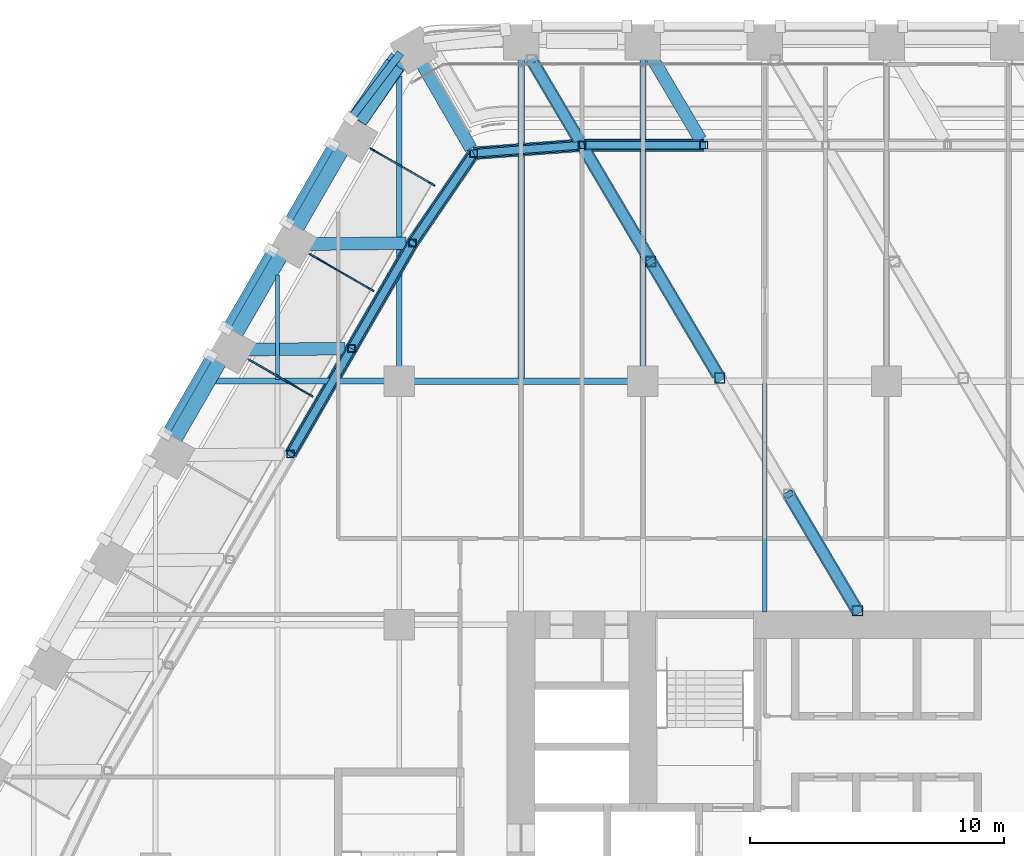
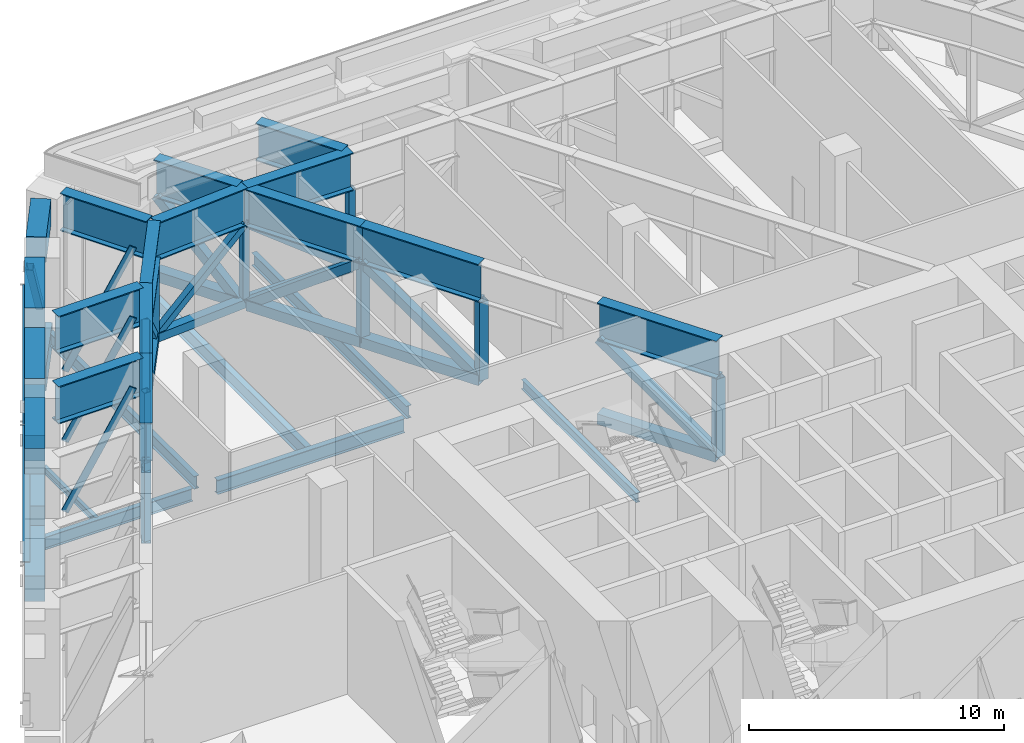
# One storey, part 8 of 35: 34 members, 28 beams, 1 element without a shape of its own.
"""IFC4 building model written with IfcOpenShell, lengths in metres."""

from ifc_helpers import new_model, si_unit, direction, frame, origin, origin_2d, place, context, subcontext, project, spatial, rectangle, hollow_rectangle, i_section, extrude, material, material_profile, profile_set, type_object, element, aggregate, save


model = new_model("IFC4")

# Units and contexts
model_context = context("Model", 3, precision=1e-05, world=origin(), true_north=direction((0.0, 1.0)))
body_context = subcontext(model_context, "Body", "Model", "MODEL_VIEW")
ifc_project = project(units=[si_unit("LENGTHUNIT", "METRE"), si_unit("AREAUNIT", "SQUARE_METRE"), si_unit("VOLUMEUNIT", "CUBIC_METRE"), si_unit("PLANEANGLEUNIT", "RADIAN"), si_unit("MASSUNIT", "GRAM", prefix="KILO")], contexts=[model_context])

# Site, building, storey
site_placement = place(None, origin())
site = spatial("IfcSite", under=ifc_project, at=site_placement, CompositionType="ELEMENT")
building_placement = place(site_placement, origin())
building = spatial("IfcBuilding", under=site, at=building_placement, Name="Kolab Exchange Tower", CompositionType="ELEMENT")
storey_placement = place(building_placement, frame((0.0, 0.0, 71.89990234375)))
storey = spatial("IfcBuildingStorey", under=building, at=storey_placement, Name="L13", CompositionType="ELEMENT", Elevation=71.89990234375)

# Members
ifc_material_1 = material(Name="Steel S355", Category="steel")
ifc_material_profile_1 = material_profile(ifc_material_1, hollow_rectangle(XDim=0.300048828125, YDim=0.300048828125, WallThickness=0.01611328125, at=origin_2d()), Name="HSS300X300X16")
ifc_profile_set_1 = profile_set([ifc_material_profile_1], Name="Steel S355")
member_type_1 = type_object("IfcMemberType", Name="BELT TRUSS BRACE HSS300X300X16", PredefinedType="BRACE", material=ifc_profile_set_1)
member_1_placement = place(storey_placement, frame((-16.267822265625, 28.177001953125, 0.25), z_axis=(0.750009259501, 0.056504902166, 0.659009337334), x_axis=(-0.075126035074, 0.99717404642, 0.0)))
element("IfcMember", 1, at=member_1_placement, inside=storey, type_object=member_type_1, Name="mem/L13/ring/d-F1-01", PredefinedType="BRACE", context=body_context, shape_type="SweptSolid", body=[
    extrude(hollow_rectangle(XDim=0.300048828125, YDim=0.300048828125, WallThickness=0.01611328125, at=origin_2d()), origin(), (0.0, 0.0, 1.0), 5.6904296875),
])
for number, where, z_axis, x_axis, name in (
    (2, (-12.0, 28.49853515625, 4.0), (0.788027411976, 0.0, -0.615640152991), (0.0, 1.0, 0.0), "mem/L13/ring/d-F1-02"),
    (3, (-23.48046875, 16.32763671875, 4.0), (0.394029831617, 0.682447964901, -0.615634036582), (-0.866015339567, 0.500017431331, 0.0), "mem/L13/ring/d-F6-05"),
):
    element("IfcMember", number, at=place(storey_placement, frame(where, z_axis=z_axis, x_axis=x_axis)), inside=storey, type_object=member_type_1, Name=name, PredefinedType="BRACE", context=body_context, shape_type="SweptSolid", body=[
        extrude(hollow_rectangle(XDim=0.300048828125, YDim=0.300048828125, WallThickness=0.01611328125, at=origin_2d()), origin(), (0.0, 0.0, 1.0), 6.09130859375),
    ])
member_2_placement = place(storey_placement, frame((-21.080322265625, 20.484619140625, 0.25), z_axis=(0.393995973328, 0.682458742407, 0.615643758934), x_axis=(-0.866037363387, 0.499979284789, 0.0)))
element("IfcMember", 4, at=member_2_placement, inside=storey, type_object=member_type_1, Name="mem/L13/ring/d-F6-06", PredefinedType="BRACE", context=body_context, shape_type="SweptSolid", body=[
    extrude(hollow_rectangle(XDim=0.300048828125, YDim=0.300048828125, WallThickness=0.01611328125, at=origin_2d()), origin(), (0.0, 0.0, 1.0), 6.091064453125),
])
member_3_placement = place(storey_placement, frame((-18.680419921875, 24.6416015625, 4.0), z_axis=(0.423966788791, 0.621277379932, -0.658989058473), x_axis=(-0.825999194724, 0.563671296338, 0.0)))
element("IfcMember", 5, at=member_3_placement, inside=storey, type_object=member_type_1, Name="mem/L13/ring/d-F6-07", PredefinedType="BRACE", context=body_context, shape_type="SweptSolid", body=[
    extrude(hollow_rectangle(XDim=0.300048828125, YDim=0.300048828125, WallThickness=0.01611328125, at=origin_2d()), origin(), (0.0, 0.0, 1.0), 5.6904296875),
])
member_4_placement = place(storey_placement, frame((-28.41748046875, 17.138916015625, 0.400146484375), z_axis=(0.328647954349, 0.569205172801, 0.753655089121), x_axis=(-0.866014075672, 0.500019620354, 0.0)))
element("IfcMember", 6, at=member_4_placement, inside=storey, type_object=member_type_1, Name="mem/L13/fb/F6-05", PredefinedType="BRACE", context=body_context, shape_type="SweptSolid", body=[
    extrude(hollow_rectangle(XDim=0.300048828125, YDim=0.300048828125, WallThickness=0.01611328125, at=origin_2d()), origin(), (0.0, 0.0, 1.0), 5.373779296875),
])
for number, where, z_axis, x_axis, name in (
    (7, (-26.017578125, 21.295654296875, 4.4501953125), (0.328679977978, 0.569227384114, -0.753624347571), (-0.866001427184, 0.500041526391, 0.0), "mem/L13/fb/F6-06"),
    (8, (-23.617431640625, 25.45263671875, 0.400146484375), (0.328639455646, 0.569235883224, 0.753635599904), (-0.866031355668, 0.499989690894, 0.0), "mem/L13/fb/F6-07"),
):
    element("IfcMember", number, at=place(storey_placement, frame(where, z_axis=z_axis, x_axis=x_axis)), inside=storey, type_object=member_type_1, Name=name, PredefinedType="BRACE", context=body_context, shape_type="SweptSolid", body=[
        extrude(hollow_rectangle(XDim=0.300048828125, YDim=0.300048828125, WallThickness=0.01611328125, at=origin_2d()), origin(), (0.0, 0.0, 1.0), 5.3740234375),
    ])
member_5_placement = place(storey_placement, frame((-21.110107421875, 29.5419921875, 4.4501953125), z_axis=(0.369353435325, 0.486393319457, -0.791833049703), x_axis=(-0.7964030968, 0.604766159278, 0.0)))
element("IfcMember", 9, at=member_5_placement, inside=storey, type_object=member_type_1, Name="mem/L13/fb/F6-08", PredefinedType="BRACE", context=body_context, shape_type="SweptSolid", body=[
    extrude(hollow_rectangle(XDim=0.300048828125, YDim=0.300048828125, WallThickness=0.01611328125, at=origin_2d()), origin(), (0.0, 0.0, 1.0), 5.11474609375),
])
ifc_material_profile_2 = material_profile(ifc_material_1, hollow_rectangle(XDim=0.39990234375, YDim=0.39990234375, WallThickness=0.02001953125, at=origin_2d()), Name="HSS400X400X20")
ifc_profile_set_2 = profile_set([ifc_material_profile_2], Name="Steel S355")
member_type_2 = type_object("IfcMemberType", Name="BELT TRUSS CHORD HSS400X400X20", PredefinedType="CHORD", material=ifc_profile_set_2)
member_6_placement = place(storey_placement, frame((-16.267822265625, 28.177001953125, 0.25), z_axis=(0.99717404642, 0.075126035074, 0.0), x_axis=(-0.075126035074, 0.99717404642, 0.0)))
element("IfcMember", 10, at=member_6_placement, inside=storey, type_object=member_type_2, Name="mem/L13/ring/c-F1-01", PredefinedType="CHORD", context=body_context, shape_type="SweptSolid", body=[
    extrude(hollow_rectangle(XDim=0.39990234375, YDim=0.39990234375, WallThickness=0.02001953125, at=origin_2d()), origin(), (0.0, 0.0, 1.0), 4.280029296875),
])
for number, where, z_axis, x_axis, name in (
    (11, (-12.0, 28.49853515625, 0.25), (1.0, 0.0, 0.0), (0.0, 1.0, 0.0), "mem/L13/ring/c-F1-02"),
    (12, (-23.48046875, 16.32763671875, 0.25), (0.500017431331, 0.866015339567, 0.0), (-0.866015339567, 0.500017431331, 0.0), "mem/L13/ring/c-F6-05"),
    (13, (-21.080322265625, 20.484619140625, 0.25), (0.499979284789, 0.866037363387, 0.0), (-0.866037363387, 0.499979284789, 0.0), "mem/L13/ring/c-F6-06"),
):
    element("IfcMember", number, at=place(storey_placement, frame(where, z_axis=z_axis, x_axis=x_axis)), inside=storey, type_object=member_type_2, Name=name, PredefinedType="CHORD", context=body_context, shape_type="SweptSolid", body=[
        extrude(hollow_rectangle(XDim=0.39990234375, YDim=0.39990234375, WallThickness=0.02001953125, at=origin_2d()), origin(), (0.0, 0.0, 1.0), 4.800048828125),
    ])
member_7_placement = place(storey_placement, frame((-18.680419921875, 24.6416015625, 0.25), z_axis=(0.563671296338, 0.825999194724, 0.0), x_axis=(-0.825999194724, 0.563671296338, 0.0)))
element("IfcMember", 14, at=member_7_placement, inside=storey, type_object=member_type_2, Name="mem/L13/ring/c-F6-07", PredefinedType="CHORD", context=body_context, shape_type="SweptSolid", body=[
    extrude(hollow_rectangle(XDim=0.39990234375, YDim=0.39990234375, WallThickness=0.02001953125, at=origin_2d()), origin(), (0.0, 0.0, 1.0), 4.280029296875),
])

# Beams
ifc_material_profile_3 = material_profile(ifc_material_1, i_section(OverallWidth=0.5, OverallDepth=1.800048828125, WebThickness=0.031982421875, FlangeThickness=0.050048828125, at=origin_2d()), Name="PG1800X500")
ifc_profile_set_3 = profile_set([ifc_material_profile_3], Name="Steel S355")
beam_type_1 = type_object("IfcBeamType", Name="BELT TRUSS GIRDER PG1800X500", PredefinedType="BEAM", material=ifc_profile_set_3)
beam_1_placement = place(storey_placement, frame((-16.267822265625, 28.177001953125, 4.900146484375), z_axis=(0.99717404642, 0.075126035074, 0.0), x_axis=(-0.075126035074, 0.99717404642, 0.0)))
element("IfcBeam", 15, at=beam_1_placement, inside=storey, type_object=beam_type_1, Name="beam/L13/bg/F1-in", PredefinedType="BEAM", context=body_context, shape_type="SweptSolid", body=[
    extrude(i_section(OverallWidth=0.5, OverallDepth=1.800048828125, WebThickness=0.031982421875, FlangeThickness=0.050048828125, at=origin_2d()), origin(), (0.0, 0.0, 1.0), 4.280029296875),
])
for number, where, z_axis, x_axis, name in (
    (16, (-12.0, 28.49853515625, 4.900146484375), (1.0, 0.0, 0.0), (0.0, 1.0, 0.0), "beam/L13/bg/F1-run0"),
    (17, (-23.48046875, 16.32763671875, 4.900146484375), (0.500017431331, 0.866015339567, 0.0), (-0.866015339567, 0.500017431331, 0.0), "beam/L13/bg/F6-run3"),
    (18, (-21.080322265625, 20.484619140625, 4.900146484375), (0.499979284789, 0.866037363387, 0.0), (-0.866037363387, 0.499979284789, 0.0), "beam/L13/bg/F6-run4"),
):
    element("IfcBeam", number, at=place(storey_placement, frame(where, z_axis=z_axis, x_axis=x_axis)), inside=storey, type_object=beam_type_1, Name=name, PredefinedType="BEAM", context=body_context, shape_type="SweptSolid", body=[
        extrude(i_section(OverallWidth=0.5, OverallDepth=1.800048828125, WebThickness=0.031982421875, FlangeThickness=0.050048828125, at=origin_2d()), origin(), (0.0, 0.0, 1.0), 4.800048828125),
    ])
beam_2_placement = place(storey_placement, frame((-18.680419921875, 24.6416015625, 4.900146484375), z_axis=(0.563671296338, 0.825999194724, 0.0), x_axis=(-0.825999194724, 0.563671296338, 0.0)))
element("IfcBeam", 19, at=beam_2_placement, inside=storey, type_object=beam_type_1, Name="beam/L13/bg/F6-out", PredefinedType="BEAM", context=body_context, shape_type="SweptSolid", body=[
    extrude(i_section(OverallWidth=0.5, OverallDepth=1.800048828125, WebThickness=0.031982421875, FlangeThickness=0.050048828125, at=origin_2d()), origin(), (0.0, 0.0, 1.0), 4.280029296875),
])

# Members
ifc_material_profile_4 = material_profile(ifc_material_1, hollow_rectangle(XDim=0.300048828125, YDim=0.300048828125, WallThickness=0.01611328125, at=origin_2d()), Name="HSS300X300X16")
ifc_profile_set_4 = profile_set([ifc_material_profile_4], Name="Steel S355")
member_type_3 = type_object("IfcMemberType", Name="BELT TRUSS POST HSS300X300X16", PredefinedType="POST", material=ifc_profile_set_4)
for number, where, z_axis, x_axis, name in (
    (20, (-16.267822265625, 28.177001953125, 0.25), (0.0, 0.0, 1.0), (1.0, 0.0, 0.0), "mem/L13/ring/p-F1-01"),
    (21, (-12.0, 28.49853515625, 0.25), (0.0, 0.0, 1.0), (1.0, 0.0, 0.0), "mem/L13/ring/p-F1-02"),
    (22, (-7.199951171875, 28.49853515625, 0.25), (0.0, 0.0, 1.0), (1.0, 0.0, 0.0), "mem/L13/ring/p-F1-03"),
    (23, (-23.48046875, 16.32763671875, 0.25), (0.0, 0.0, 1.0), (1.0, 0.0, 0.0), "mem/L13/ring/p-F6-05"),
    (24, (-21.080322265625, 20.484619140625, 0.25), (0.0, 0.0, 1.0), (1.0, 0.0, 0.0), "mem/L13/ring/p-F6-06"),
    (25, (-18.680419921875, 24.6416015625, 0.25), (0.0, 0.0, 1.0), (1.0, 0.0, 0.0), "mem/L13/ring/p-F6-07"),
):
    element("IfcMember", number, at=place(storey_placement, frame(where, z_axis=z_axis, x_axis=x_axis)), inside=storey, type_object=member_type_3, Name=name, PredefinedType="POST", context=body_context, shape_type="SweptSolid", body=[
        extrude(hollow_rectangle(XDim=0.300048828125, YDim=0.300048828125, WallThickness=0.01611328125, at=origin_2d()), origin(), (0.0, 0.0, 1.0), 3.75),
    ])

# Curtain wall, members
ifc_material_2 = material(Name="Aluminium EN AW-6063 T6", Category="aluminium")
curtain_wall_type = type_object("IfcCurtainWallType", Name="CANTED BAND CURTAIN WALL", PredefinedType="NOTDEFINED", material=ifc_material_2)
curtain_wall_placement = place(storey_placement, origin())
curtain_wall = element("IfcCurtainWall", 26, at=curtain_wall_placement, inside=storey, type_object=curtain_wall_type, Name="band/L13/F6", PredefinedType="NOTDEFINED")
ifc_material_profile_5 = material_profile(ifc_material_2, rectangle(XDim=0.06005859375, YDim=0.300048828125, at=origin_2d()), Name="RECT 60X300")
ifc_profile_set_5 = profile_set([ifc_material_profile_5], Name="Aluminium EN AW-6063 T6")
member_type_4 = type_object("IfcMemberType", Name="CANTED BAND MULLION 60 X 300", PredefinedType="MULLION", material=ifc_profile_set_5)
member_8_placement = place(storey_placement, frame((-25.03173828125, 19.99462890625, -0.099853515625), z_axis=(0.355833859075, -0.205421357987, 0.911693111973), x_axis=(0.499964557259, 0.866045865693, 0.0)))
member_8 = element("IfcMember", 27, at=member_8_placement, type_object=member_type_4, Name="Band mullion", PredefinedType="MULLION", context=body_context, shape_type="SweptSolid", body=[
    extrude(rectangle(XDim=0.06005859375, YDim=0.300048828125, at=origin_2d()), origin(), (0.0, 0.0, 1.0), 6.515380859375),
])
member_9_placement = place(storey_placement, frame((-22.631591796875, 24.151611328125, -0.099853515625), z_axis=(0.355798391977, -0.2054599877, 0.911698249269), x_axis=(0.500072450434, 0.865983570466, 0.0)))
member_9 = element("IfcMember", 28, at=member_9_placement, type_object=member_type_4, Name="Band mullion", PredefinedType="MULLION", context=body_context, shape_type="SweptSolid", body=[
    extrude(rectangle(XDim=0.06005859375, YDim=0.300048828125, at=origin_2d()), origin(), (0.0, 0.0, 1.0), 6.51513671875),
])
member_10_placement = place(storey_placement, frame((-20.231689453125, 28.308349609375, -0.099853515625), z_axis=(0.355833859075, -0.205421357987, 0.911693111973), x_axis=(0.499964557259, 0.866045865693, 0.0)))
member_10 = element("IfcMember", 29, at=member_10_placement, type_object=member_type_4, Name="Band mullion", PredefinedType="MULLION", context=body_context, shape_type="SweptSolid", body=[
    extrude(rectangle(XDim=0.06005859375, YDim=0.300048828125, at=origin_2d()), origin(), (0.0, 0.0, 1.0), 6.515380859375),
])
aggregate(curtain_wall, [member_8, member_9, member_10])

# Beams
ifc_material_profile_6 = material_profile(ifc_material_1, i_section(OverallWidth=0.1650390625, OverallDepth=0.31005859375, WebThickness=0.005859375, FlangeThickness=0.009765625, at=origin_2d()), Name="W310X39")
ifc_profile_set_6 = profile_set([ifc_material_profile_6], Name="Steel S355")
beam_type_2 = type_object("IfcBeamType", Name="FLOOR BEAM W310X39", PredefinedType="BEAM", material=ifc_profile_set_6)
beam_3_placement = place(storey_placement, frame((-24.0, 19.27392578125, -0.454833984375), z_axis=(0.0, 1.0, 0.0), x_axis=(-1.0, 0.0, 0.0)))
element("IfcBeam", 30, at=beam_3_placement, inside=storey, type_object=beam_type_2, Name="beam/L13/fr/011", PredefinedType="BEAM", context=body_context, shape_type="SweptSolid", body=[
    extrude(i_section(OverallWidth=0.1650390625, OverallDepth=0.31005859375, WebThickness=0.005859375, FlangeThickness=0.009765625, at=origin_2d()), origin(), (0.0, 0.0, 1.0), 4.107666015625),
])
ifc_material_profile_7 = material_profile(ifc_material_1, i_section(OverallWidth=0.18994140625, OverallDepth=0.45703125, WebThickness=0.009033203125, FlangeThickness=0.014404296875, at=origin_2d()), Name="W460X74")
ifc_profile_set_7 = profile_set([ifc_material_profile_7], Name="Steel S355")
beam_type_3 = type_object("IfcBeamType", Name="FLOOR BEAM W460X74", PredefinedType="BEAM", material=ifc_profile_set_7)
beam_4_placement = place(storey_placement, frame((-4.800048828125, 10.110107421875, -0.5283203125), z_axis=(0.0, 1.0, 0.0), x_axis=(-1.0, 0.0, 0.0)))
element("IfcBeam", 31, at=beam_4_placement, inside=storey, type_object=beam_type_3, Name="beam/L13/fr/028", PredefinedType="BEAM", context=body_context, shape_type="SweptSolid", body=[
    extrude(i_section(OverallWidth=0.18994140625, OverallDepth=0.45703125, WebThickness=0.009033203125, FlangeThickness=0.014404296875, at=origin_2d()), origin(), (0.0, 0.0, 1.0), 9.0029296875),
])
ifc_material_profile_8 = material_profile(ifc_material_1, i_section(OverallWidth=0.22802734375, OverallDepth=0.60791015625, WebThickness=0.01123046875, FlangeThickness=0.017333984375, at=origin_2d()), Name="W610X113")
ifc_profile_set_8 = profile_set([ifc_material_profile_8], Name="Steel S355")
beam_type_4 = type_object("IfcBeamType", Name="FLOOR BEAM W610X113", PredefinedType="BEAM", material=ifc_profile_set_8)
beam_5_placement = place(storey_placement, frame((-19.199951171875, 19.760009765625, -0.60400390625), z_axis=(0.0, 1.0, 0.0), x_axis=(-1.0, 0.0, 0.0)))
element("IfcBeam", 32, at=beam_5_placement, inside=storey, type_object=beam_type_4, Name="beam/L13/fr/017", PredefinedType="BEAM", context=body_context, shape_type="SweptSolid", body=[
    extrude(i_section(OverallWidth=0.22802734375, OverallDepth=0.60791015625, WebThickness=0.01123046875, FlangeThickness=0.017333984375, at=origin_2d()), origin(), (0.0, 0.0, 1.0), 11.45458984375),
])
beam_6_placement = place(storey_placement, frame((-9.60009765625, 19.760009765625, -0.60400390625), z_axis=(0.0, 1.0, 0.0), x_axis=(-1.0, 0.0, 0.0)))
element("IfcBeam", 33, at=beam_6_placement, inside=storey, type_object=beam_type_4, Name="beam/L13/fr/025", PredefinedType="BEAM", context=body_context, shape_type="SweptSolid", body=[
    extrude(i_section(OverallWidth=0.22802734375, OverallDepth=0.60791015625, WebThickness=0.01123046875, FlangeThickness=0.017333984375, at=origin_2d()), origin(), (0.0, 0.0, 1.0), 12.135498046875),
])
ifc_material_profile_9 = material_profile(ifc_material_1, i_section(OverallWidth=0.25390625, OverallDepth=0.68408203125, WebThickness=0.012451171875, FlangeThickness=0.018798828125, at=origin_2d()), Name="W690X140")
ifc_profile_set_9 = profile_set([ifc_material_profile_9], Name="Steel S355")
beam_type_5 = type_object("IfcBeamType", Name="FLOOR BEAM W690X140", PredefinedType="BEAM", material=ifc_profile_set_9)
beam_7_placement = place(storey_placement, frame((-14.39990234375, 19.287109375, -0.641845703125), z_axis=(0.0, 1.0, 0.0), x_axis=(-1.0, 0.0, 0.0)))
element("IfcBeam", 34, at=beam_7_placement, inside=storey, type_object=beam_type_5, Name="beam/L13/fr/021", PredefinedType="BEAM", context=body_context, shape_type="SweptSolid", body=[
    extrude(i_section(OverallWidth=0.25390625, OverallDepth=0.68408203125, WebThickness=0.012451171875, FlangeThickness=0.018798828125, at=origin_2d()), origin(), (0.0, 0.0, 1.0), 12.6083984375),
])
ifc_material_profile_10 = material_profile(ifc_material_1, i_section(OverallWidth=0.22802734375, OverallDepth=0.60791015625, WebThickness=0.01123046875, FlangeThickness=0.017333984375, at=origin_2d()), Name="W610X113")
ifc_profile_set_10 = profile_set([ifc_material_profile_10], Name="Steel S355")
beam_type_6 = type_object("IfcBeamType", Name="FLOOR GIRDER W610X113", PredefinedType="BEAM", material=ifc_profile_set_10)
beam_8_placement = place(storey_placement, frame((-26.43115234375, 19.199951171875, -0.60400390625), z_axis=(1.0, 0.0, 0.0), x_axis=(0.0, 1.0, 0.0)))
element("IfcBeam", 35, at=beam_8_placement, inside=storey, type_object=beam_type_6, Name="beam/L13/gd/005", PredefinedType="BEAM", context=body_context, shape_type="SweptSolid", body=[
    extrude(i_section(OverallWidth=0.22802734375, OverallDepth=0.60791015625, WebThickness=0.01123046875, FlangeThickness=0.017333984375, at=origin_2d()), origin(), (0.0, 0.0, 1.0), 6.671142578125),
])
ifc_material_profile_11 = material_profile(ifc_material_1, i_section(OverallWidth=0.25390625, OverallDepth=0.68408203125, WebThickness=0.012451171875, FlangeThickness=0.018798828125, at=origin_2d()), Name="W690X140")
ifc_profile_set_11 = profile_set([ifc_material_profile_11], Name="Steel S355")
beam_type_7 = type_object("IfcBeamType", Name="FLOOR GIRDER W690X140", PredefinedType="BEAM", material=ifc_profile_set_11)
beam_9_placement = place(storey_placement, frame((-18.639892578125, 19.199951171875, -0.641845703125), z_axis=(1.0, 0.0, 0.0), x_axis=(0.0, 1.0, 0.0)))
element("IfcBeam", 36, at=beam_9_placement, inside=storey, type_object=beam_type_7, Name="beam/L13/gd/009", PredefinedType="BEAM", context=body_context, shape_type="SweptSolid", body=[
    extrude(i_section(OverallWidth=0.25390625, OverallDepth=0.68408203125, WebThickness=0.012451171875, FlangeThickness=0.018798828125, at=origin_2d()), origin(), (0.0, 0.0, 1.0), 8.47998046875),
])

# Members
ifc_material_profile_12 = material_profile(ifc_material_1, hollow_rectangle(XDim=0.39990234375, YDim=0.39990234375, WallThickness=0.02001953125, at=origin_2d()), Name="HSS400X400X20")
ifc_profile_set_12 = profile_set([ifc_material_profile_12], Name="Steel S355")
member_type_5 = type_object("IfcMemberType", Name="OUTRIGGER BRACE HSS400X400X20", PredefinedType="BRACE", material=ifc_profile_set_12)
member_11_placement = place(storey_placement, frame((-1.1455078125, 10.14990234375, 0.25), z_axis=(-0.416375274707, 0.703911736231, 0.575447563388), x_axis=(-0.860697538433, -0.509116634315, 0.0)))
element("IfcMember", 37, at=member_11_placement, inside=storey, type_object=member_type_5, Name="mem/L13/out/00/d00", PredefinedType="BRACE", context=body_context, shape_type="SweptSolid", body=[
    extrude(hollow_rectangle(XDim=0.39990234375, YDim=0.39990234375, WallThickness=0.02001953125, at=origin_2d()), origin(), (0.0, 0.0, 1.0), 6.5166015625),
])
member_12_placement = place(storey_placement, frame((-6.57275390625, 19.32421875, 0.25), z_axis=(-0.416406242938, 0.703900755606, 0.575438586732), x_axis=(-0.860677465118, -0.50915056814, 0.0)))
element("IfcMember", 38, at=member_12_placement, inside=storey, type_object=member_type_5, Name="mem/L13/out/00/d02", PredefinedType="BRACE", context=body_context, shape_type="SweptSolid", body=[
    extrude(hollow_rectangle(XDim=0.39990234375, YDim=0.39990234375, WallThickness=0.02001953125, at=origin_2d()), origin(), (0.0, 0.0, 1.0), 6.516845703125),
])
member_13_placement = place(storey_placement, frame((-9.286376953125, 23.911376953125, 4.0), z_axis=(-0.410757693175, 0.69432938526, -0.590918625753), x_axis=(-0.860670087674, -0.509163038901, 0.0)))
element("IfcMember", 39, at=member_13_placement, inside=storey, type_object=member_type_5, Name="mem/L13/out/00/d03", PredefinedType="BRACE", context=body_context, shape_type="SweptSolid", body=[
    extrude(hollow_rectangle(XDim=0.39990234375, YDim=0.39990234375, WallThickness=0.02001953125, at=origin_2d()), origin(), (0.0, 0.0, 1.0), 6.345947265625),
])
member_14_placement = place(storey_placement, frame((-12.10693359375, 28.67919921875, 0.25), z_axis=(-0.35711696568, 0.603702147024, 0.712749037532), x_axis=(-0.860686731911, -0.509134903058, 0.0)))
element("IfcMember", 40, at=member_14_placement, inside=storey, type_object=member_type_5, Name="mem/L13/out/00/d04", PredefinedType="BRACE", context=body_context, shape_type="SweptSolid", body=[
    extrude(hollow_rectangle(XDim=0.39990234375, YDim=0.39990234375, WallThickness=0.02001953125, at=origin_2d()), origin(), (0.0, 0.0, 1.0), 5.26123046875),
])
ifc_material_profile_13 = material_profile(ifc_material_1, hollow_rectangle(XDim=0.5, YDim=0.5, WallThickness=0.02490234375, at=origin_2d()), Name="HSS500X500X25")
ifc_profile_set_13 = profile_set([ifc_material_profile_13], Name="Steel S355")
member_type_6 = type_object("IfcMemberType", Name="OUTRIGGER CHORD HSS500X500X25", PredefinedType="CHORD", material=ifc_profile_set_13)
for number, where, z_axis, x_axis, name in (
    (41, (-1.1455078125, 10.14990234375, 0.25), (-0.509116634315, 0.860697538433, 0.0), (-0.860697538433, -0.509116634315, 0.0), "mem/L13/out/00/c00"),
    (42, (-6.57275390625, 19.32421875, 0.25), (-0.50915056814, 0.860677465118, 0.0), (-0.860677465118, -0.50915056814, 0.0), "mem/L13/out/00/c02"),
):
    element("IfcMember", number, at=place(storey_placement, frame(where, z_axis=z_axis, x_axis=x_axis)), inside=storey, type_object=member_type_6, Name=name, PredefinedType="CHORD", context=body_context, shape_type="SweptSolid", body=[
        extrude(hollow_rectangle(XDim=0.5, YDim=0.5, WallThickness=0.02490234375, at=origin_2d()), origin(), (0.0, 0.0, 1.0), 5.32958984375),
    ])
member_15_placement = place(storey_placement, frame((-9.286376953125, 23.911376953125, 0.25), z_axis=(-0.509163038901, 0.860670087674, 0.0), x_axis=(-0.860670087674, -0.509163038901, 0.0)))
element("IfcMember", 43, at=member_15_placement, inside=storey, type_object=member_type_6, Name="mem/L13/out/00/c03", PredefinedType="CHORD", context=body_context, shape_type="SweptSolid", body=[
    extrude(hollow_rectangle(XDim=0.5, YDim=0.5, WallThickness=0.02490234375, at=origin_2d()), origin(), (0.0, 0.0, 1.0), 5.11962890625),
])
member_16_placement = place(storey_placement, frame((-12.10693359375, 28.67919921875, 0.25), z_axis=(-0.509134903058, 0.860686731911, 0.0), x_axis=(-0.860686731911, -0.509134903058, 0.0)))
element("IfcMember", 44, at=member_16_placement, inside=storey, type_object=member_type_6, Name="mem/L13/out/00/c04", PredefinedType="CHORD", context=body_context, shape_type="SweptSolid", body=[
    extrude(hollow_rectangle(XDim=0.5, YDim=0.5, WallThickness=0.02490234375, at=origin_2d()), origin(), (0.0, 0.0, 1.0), 3.6904296875),
])

# Beams
ifc_material_profile_14 = material_profile(ifc_material_1, i_section(OverallWidth=0.5, OverallDepth=1.800048828125, WebThickness=0.031982421875, FlangeThickness=0.050048828125, at=origin_2d()), Name="PG1800X500")
ifc_profile_set_14 = profile_set([ifc_material_profile_14], Name="Steel S355")
beam_type_8 = type_object("IfcBeamType", Name="OUTRIGGER GIRDER PG1800X500", PredefinedType="BEAM", material=ifc_profile_set_14)
beam_10_placement = place(storey_placement, frame((-1.125, 10.115478515625, 4.900146484375), z_axis=(-0.509136715252, 0.860685659914, 0.0), x_axis=(-0.860685659914, -0.509136715252, 0.0)))
element("IfcBeam", 45, at=beam_10_placement, inside=storey, type_object=beam_type_8, Name="beam/L13/og/00-00", PredefinedType="BEAM", context=body_context, shape_type="SweptSolid", body=[
    extrude(i_section(OverallWidth=0.5, OverallDepth=1.800048828125, WebThickness=0.031982421875, FlangeThickness=0.050048828125, at=origin_2d()), origin(), (0.0, 0.0, 1.0), 5.36962890625),
])
beam_11_placement = place(storey_placement, frame((-6.57275390625, 19.32421875, 4.900146484375), z_axis=(-0.50915056814, 0.860677465118, 0.0), x_axis=(-0.860677465118, -0.50915056814, 0.0)))
element("IfcBeam", 46, at=beam_11_placement, inside=storey, type_object=beam_type_8, Name="beam/L13/og/00-02", PredefinedType="BEAM", context=body_context, shape_type="SweptSolid", body=[
    extrude(i_section(OverallWidth=0.5, OverallDepth=1.800048828125, WebThickness=0.031982421875, FlangeThickness=0.050048828125, at=origin_2d()), origin(), (0.0, 0.0, 1.0), 5.32958984375),
])
beam_12_placement = place(storey_placement, frame((-9.286376953125, 23.911376953125, 4.900146484375), z_axis=(-0.509163038901, 0.860670087674, 0.0), x_axis=(-0.860670087674, -0.509163038901, 0.0)))
element("IfcBeam", 47, at=beam_12_placement, inside=storey, type_object=beam_type_8, Name="beam/L13/og/00-03", PredefinedType="BEAM", context=body_context, shape_type="SweptSolid", body=[
    extrude(i_section(OverallWidth=0.5, OverallDepth=1.800048828125, WebThickness=0.031982421875, FlangeThickness=0.050048828125, at=origin_2d()), origin(), (0.0, 0.0, 1.0), 5.11962890625),
])
beam_13_placement = place(storey_placement, frame((-12.10693359375, 28.67919921875, 4.900146484375), z_axis=(-0.509163611041, 0.860669749202, 0.0), x_axis=(-0.860669749202, -0.509163611041, 0.0)))
element("IfcBeam", 48, at=beam_13_placement, inside=storey, type_object=beam_type_8, Name="beam/L13/og/00-04", PredefinedType="BEAM", context=body_context, shape_type="SweptSolid", body=[
    extrude(i_section(OverallWidth=0.5, OverallDepth=1.800048828125, WebThickness=0.031982421875, FlangeThickness=0.050048828125, at=origin_2d()), origin(), (0.0, 0.0, 1.0), 3.73046875),
])

# Members
ifc_material_profile_15 = material_profile(ifc_material_1, hollow_rectangle(XDim=0.39990234375, YDim=0.39990234375, WallThickness=0.02001953125, at=origin_2d()), Name="HSS400X400X20")
ifc_profile_set_15 = profile_set([ifc_material_profile_15], Name="Steel S355")
member_type_7 = type_object("IfcMemberType", Name="OUTRIGGER POST HSS400X400X20", PredefinedType="POST", material=ifc_profile_set_15)
for number, where, z_axis, x_axis, name in (
    (49, (-1.1455078125, 10.14990234375, 0.25), (0.0, 0.0, 1.0), (1.0, 0.0, 0.0), "mem/L13/out/00/p00"),
    (50, (-6.57275390625, 19.32421875, 0.25), (0.0, 0.0, 1.0), (1.0, 0.0, 0.0), "mem/L13/out/00/p02"),
    (51, (-9.286376953125, 23.911376953125, 0.25), (0.0, 0.0, 1.0), (1.0, 0.0, 0.0), "mem/L13/out/00/p03"),
):
    element("IfcMember", number, at=place(storey_placement, frame(where, z_axis=z_axis, x_axis=x_axis)), inside=storey, type_object=member_type_7, Name=name, PredefinedType="POST", context=body_context, shape_type="SweptSolid", body=[
        extrude(hollow_rectangle(XDim=0.39990234375, YDim=0.39990234375, WallThickness=0.02001953125, at=origin_2d()), origin(), (0.0, 0.0, 1.0), 3.75),
    ])

# Beams
ifc_material_3 = material(Name="Concrete C80/95", Category="concrete")
ifc_material_profile_16 = material_profile(ifc_material_3, rectangle(XDim=0.800048828125, YDim=1.199951171875, at=origin_2d()), Name="RC800X1200")
ifc_profile_set_16 = profile_set([ifc_material_profile_16], Name="Concrete C80/95")
beam_type_9 = type_object("IfcBeamType", Name="SPANDREL BEAM 800X1200 C80/95", PredefinedType="BEAM", material=ifc_profile_set_16)
for number, where, z_axis, x_axis, name in (
    (52, (-28.12353515625, 16.999267578125, -0.89990234375), (0.500009906705, 0.86601968407, 0.0), (-0.86601968407, 0.500009906705, 0.0), "beam/L13/sp/F6-05"),
    (53, (-25.7236328125, 21.15625, -0.89990234375), (0.500009906705, 0.86601968407, 0.0), (-0.86601968407, 0.500009906705, 0.0), "beam/L13/sp/F6-06"),
):
    element("IfcBeam", number, at=place(storey_placement, frame(where, z_axis=z_axis, x_axis=x_axis)), inside=storey, type_object=beam_type_9, Name=name, PredefinedType="BEAM", context=body_context, shape_type="SweptSolid", body=[
        extrude(rectangle(XDim=0.800048828125, YDim=1.199951171875, at=origin_2d()), origin(), (0.0, 0.0, 1.0), 3.47998046875),
    ])
beam_14_placement = place(storey_placement, frame((-23.323486328125, 25.31298828125, -0.89990234375), z_axis=(0.499979528911, 0.866037222451, 0.0), x_axis=(-0.866037222451, 0.499979528911, 0.0)))
element("IfcBeam", 54, at=beam_14_placement, inside=storey, type_object=beam_type_9, Name="beam/L13/sp/F6-07", PredefinedType="BEAM", context=body_context, shape_type="SweptSolid", body=[
    extrude(rectangle(XDim=0.800048828125, YDim=1.199951171875, at=origin_2d()), origin(), (0.0, 0.0, 1.0), 3.480224609375),
])
beam_15_placement = place(storey_placement, frame((-20.8779296875, 29.44384765625, -0.89990234375), z_axis=(0.567247290755, 0.823547516013, 0.0), x_axis=(-0.823547516013, 0.567247290755, 0.0)))
element("IfcBeam", 55, at=beam_15_placement, inside=storey, type_object=beam_type_9, Name="beam/L13/sp/F6-08", PredefinedType="BEAM", context=body_context, shape_type="SweptSolid", body=[
    extrude(rectangle(XDim=0.800048828125, YDim=1.199951171875, at=origin_2d()), origin(), (0.0, 0.0, 1.0), 2.984375),
])
for number, where, z_axis, x_axis, name in (
    (56, (-28.12353515625, 16.999267578125, 5.2001953125), (0.500009906705, 0.86601968407, 0.0), (-0.86601968407, 0.500009906705, 0.0), "beam/L13/cp/F6-05"),
    (57, (-25.7236328125, 21.15625, 5.2001953125), (0.500009906705, 0.86601968407, 0.0), (-0.86601968407, 0.500009906705, 0.0), "beam/L13/cp/F6-06"),
):
    element("IfcBeam", number, at=place(storey_placement, frame(where, z_axis=z_axis, x_axis=x_axis)), inside=storey, type_object=beam_type_9, Name=name, PredefinedType="BEAM", context=body_context, shape_type="SweptSolid", body=[
        extrude(rectangle(XDim=0.800048828125, YDim=1.199951171875, at=origin_2d()), origin(), (0.0, 0.0, 1.0), 3.47998046875),
    ])
beam_16_placement = place(storey_placement, frame((-23.323486328125, 25.31298828125, 5.2001953125), z_axis=(0.499979528911, 0.866037222451, 0.0), x_axis=(-0.866037222451, 0.499979528911, 0.0)))
element("IfcBeam", 58, at=beam_16_placement, inside=storey, type_object=beam_type_9, Name="beam/L13/cp/F6-07", PredefinedType="BEAM", context=body_context, shape_type="SweptSolid", body=[
    extrude(rectangle(XDim=0.800048828125, YDim=1.199951171875, at=origin_2d()), origin(), (0.0, 0.0, 1.0), 3.480224609375),
])
beam_17_placement = place(storey_placement, frame((-20.843505859375, 29.503662109375, 5.2001953125), z_axis=(0.561762947401, 0.827298247869, 0.0), x_axis=(-0.827298247869, 0.561762947401, 0.0)))
element("IfcBeam", 59, at=beam_17_placement, inside=storey, type_object=beam_type_9, Name="beam/L13/cp/F6-08", PredefinedType="BEAM", context=body_context, shape_type="SweptSolid", body=[
    extrude(rectangle(XDim=0.800048828125, YDim=1.199951171875, at=origin_2d()), origin(), (0.0, 0.0, 1.0), 2.625),
])
ifc_material_profile_17 = material_profile(ifc_material_1, i_section(OverallWidth=0.5, OverallDepth=1.800048828125, WebThickness=0.031982421875, FlangeThickness=0.050048828125, at=origin_2d()), Name="PG1800X500")
ifc_profile_set_17 = profile_set([ifc_material_profile_17], Name="Steel S355")
beam_type_10 = type_object("IfcBeamType", Name="TRANSFER GIRDER PG1800X500", PredefinedType="BEAM", material=ifc_profile_set_17)
beam_18_placement = place(storey_placement, frame((-16.3779296875, 28.367431640625, 4.900146484375), z_axis=(-0.500006760876, 0.866021500355, 0.0), x_axis=(-0.866021500355, -0.500006760876, 0.0)))
element("IfcBeam", 60, at=beam_18_placement, inside=storey, type_object=beam_type_10, Name="beam/L13/tg/F1-01", PredefinedType="BEAM", context=body_context, shape_type="SweptSolid", body=[
    extrude(i_section(OverallWidth=0.5, OverallDepth=1.800048828125, WebThickness=0.031982421875, FlangeThickness=0.050048828125, at=origin_2d()), origin(), (0.0, 0.0, 1.0), 3.89013671875),
])
beam_19_placement = place(storey_placement, frame((-7.327392578125, 28.713623046875, 4.900146484375), z_axis=(-0.509128457749, 0.860690544569, 0.0), x_axis=(-0.860690544569, -0.509128457749, 0.0)))
element("IfcBeam", 61, at=beam_19_placement, inside=storey, type_object=beam_type_10, Name="beam/L13/tg/F1-03", PredefinedType="BEAM", context=body_context, shape_type="SweptSolid", body=[
    extrude(i_section(OverallWidth=0.5, OverallDepth=1.800048828125, WebThickness=0.031982421875, FlangeThickness=0.050048828125, at=origin_2d()), origin(), (0.0, 0.0, 1.0), 3.87353515625),
])
beam_20_placement = place(storey_placement, frame((-21.330322265625, 20.48193359375, 4.900146484375), z_axis=(-0.99994394464, -0.010588086644, 0.0), x_axis=(0.010588086644, -0.99994394464, 0.0)))
element("IfcBeam", 62, at=beam_20_placement, inside=storey, type_object=beam_type_10, Name="beam/L13/tg/F6-06", PredefinedType="BEAM", context=body_context, shape_type="SweptSolid", body=[
    extrude(i_section(OverallWidth=0.5, OverallDepth=1.800048828125, WebThickness=0.031982421875, FlangeThickness=0.050048828125, at=origin_2d()), origin(), (0.0, 0.0, 1.0), 3.873779296875),
])
beam_21_placement = place(storey_placement, frame((-18.930419921875, 24.638916015625, 4.900146484375), z_axis=(-0.999943937573, -0.010588753956, 0.0), x_axis=(0.010588753956, -0.999943937573, 0.0)))
element("IfcBeam", 63, at=beam_21_placement, inside=storey, type_object=beam_type_10, Name="beam/L13/tg/F6-07", PredefinedType="BEAM", context=body_context, shape_type="SweptSolid", body=[
    extrude(i_section(OverallWidth=0.5, OverallDepth=1.800048828125, WebThickness=0.031982421875, FlangeThickness=0.050048828125, at=origin_2d()), origin(), (0.0, 0.0, 1.0), 3.87353515625),
])

save(model, "model.ifc")
